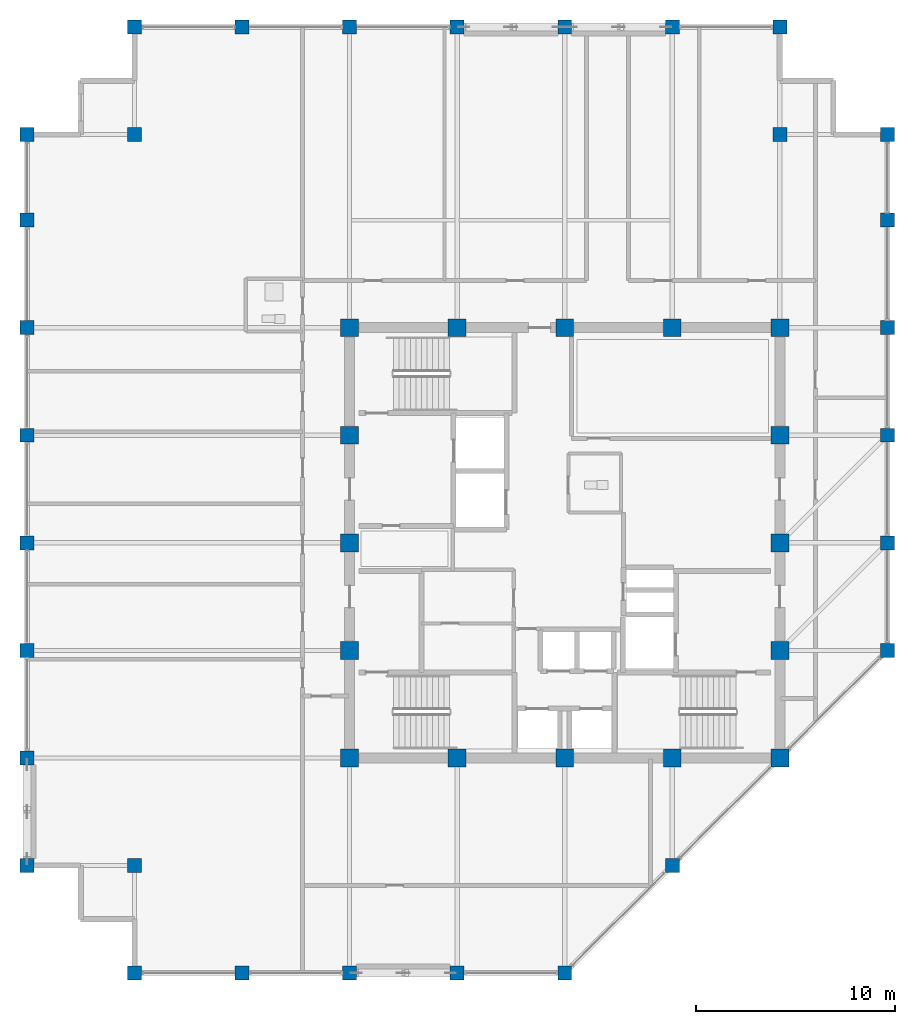
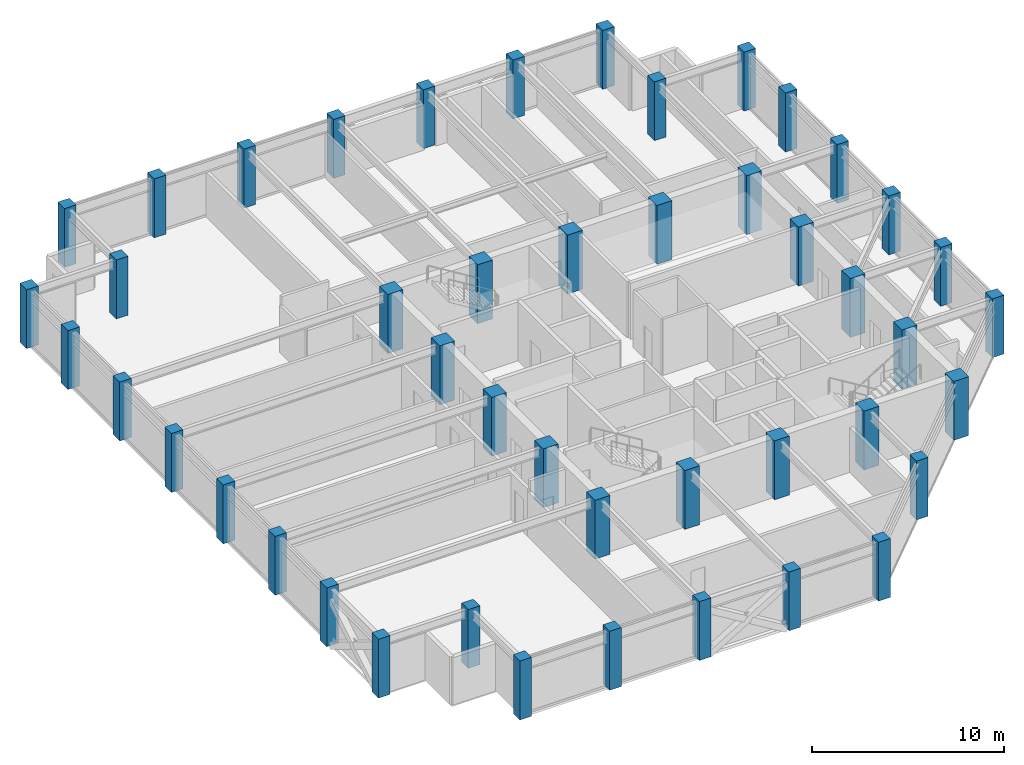
# One storey, part 1 of 30: 46 columns.
"""IFC4 building model written with IfcOpenShell, lengths in metres."""

import ifcopenshell
import ifcopenshell.guid

model = None  # the IFC model being written
_history = None  # IfcOwnerHistory: only IFC2X3 demands one
_inside = {}  # id of a spatial element -> (the spatial element, [elements in it])
_under = {}  # id of a project, library or spatial element -> (it, [spatial elements below it])
_declared = {}  # id of a project -> (the project, [libraries it declares])
_typed = {}  # id of a type object -> (the type object, [elements of that type])
_made_of = {}  # id of a material, layer set ... -> (it, [elements and type objects made of it])


def new_model(schema):
    """Start an empty IFC model of exactly this schema.

    Asked for "IFC4X3", IfcOpenShell would pick the latest addendum, in which some entities
    have other attributes; the version numbers below select the first issue.
    IFC2X3 requires an IfcOwnerHistory on every rooted entity: one is made here for all.
    """
    global model, _history
    if schema == "IFC4X3":
        model = ifcopenshell.file(schema_version=(4, 3, 0, 0))
    else:
        model = ifcopenshell.file(schema=schema)
    _inside.clear()
    _under.clear()
    _declared.clear()
    _typed.clear()
    _made_of.clear()
    _history = None
    if model.schema == "IFC2X3":
        org = make("IfcOrganization", Name="unknown")
        user = make(
            "IfcPersonAndOrganization",
            ThePerson=make("IfcPerson", FamilyName="unknown"),
            TheOrganization=org,
        )
        app = make(
            "IfcApplication",
            ApplicationDeveloper=org,
            Version="unknown",
            ApplicationFullName="unknown",
            ApplicationIdentifier="unknown",
        )
        _history = make(
            "IfcOwnerHistory",
            OwningUser=user,
            OwningApplication=app,
            ChangeAction="ADDED",
            CreationDate=0,
        )
    return model


def make(cls, **values):
    """One entity of the class cls with the attributes given. An attribute that is None is left unset."""
    return model.create_entity(
        cls, **{name: value for name, value in values.items() if value is not None}
    )


def rooted(cls, **values):
    """An entity with a GlobalId (a new one), such as an element, a storey or a relation."""
    return make(cls, GlobalId=ifcopenshell.guid.new(), OwnerHistory=_history, **values)


def si_unit(unit_type, name, prefix=None):
    """IfcSIUnit, for example si_unit("LENGTHUNIT", "METRE", prefix="MILLI")."""
    return make("IfcSIUnit", UnitType=unit_type, Prefix=prefix, Name=name)


def assignment(units):
    """IfcUnitAssignment: the units of a project."""
    return None if units is None else make("IfcUnitAssignment", Units=units)


def point(xyz):
    """IfcCartesianPoint."""
    return None if xyz is None else make("IfcCartesianPoint", Coordinates=xyz)


def direction(xyz):
    """IfcDirection."""
    return None if xyz is None else make("IfcDirection", DirectionRatios=xyz)


def frame(location, z_axis=None, x_axis=None):
    """IfcAxis2Placement3D, a coordinate frame: its origin and axes. An axis left out is left unset."""
    return make(
        "IfcAxis2Placement3D",
        Location=point(location),
        Axis=direction(z_axis),
        RefDirection=direction(x_axis),
    )


def frame_2d(location, x_axis=None):
    """IfcAxis2Placement2D, a coordinate frame in the plane: its origin and x axis."""
    return make(
        "IfcAxis2Placement2D", Location=point(location), RefDirection=direction(x_axis)
    )


def origin():
    """The frame at (0, 0, 0) with its axes left unset."""
    return frame((0.0, 0.0, 0.0))


def origin_2d():
    """The frame at (0, 0) in the plane with its x axis left unset."""
    return frame_2d((0.0, 0.0))


def place(relative_to, where):
    """IfcLocalPlacement: puts the frame where relative to a parent placement (None: the world)."""
    return make(
        "IfcLocalPlacement", PlacementRelTo=relative_to, RelativePlacement=where
    )


def context(
    kind, dimensions, precision=None, world=None, true_north=None, identifier=None
):
    """IfcGeometricRepresentationContext, for example the 3D "Model" context."""
    return make(
        "IfcGeometricRepresentationContext",
        ContextIdentifier=identifier,
        ContextType=kind,
        CoordinateSpaceDimension=dimensions,
        Precision=precision,
        WorldCoordinateSystem=world,
        TrueNorth=true_north,
    )


def subcontext(parent, identifier, kind, view, scale=None):
    """IfcGeometricRepresentationSubContext, for example "Body" below "Model"."""
    return make(
        "IfcGeometricRepresentationSubContext",
        ContextIdentifier=identifier,
        ContextType=kind,
        ParentContext=parent,
        TargetScale=scale,
        TargetView=view,
    )


def project(units=None, contexts=None):
    """IfcProject with its units and contexts."""
    return rooted(
        "IfcProject",
        Name="project",
        RepresentationContexts=contexts,
        UnitsInContext=assignment(units),
    )


def spatial(cls, under=None, at=None, **own):
    """A site, building, storey or space (cls), placed at a placement, below another one or the project."""
    s = rooted(cls, ObjectPlacement=at, **own)
    if under is not None:
        _under.setdefault(under.id(), (under, []))[1].append(s)
    return s


def profile(cls, at=None, kind="AREA", **sizes):
    """A parametric profile (cls). Its sizes go by their IFC names, for example OverallWidth=200.0."""
    return make(cls, ProfileType=kind, Position=at, **sizes)


def rectangle(**sizes):
    """IfcRectangleProfileDef."""
    return profile("IfcRectangleProfileDef", **sizes)


def extrude(swept, where, along, depth):
    """IfcExtrudedAreaSolid: the profile swept, set in the frame where, extruded along a direction by depth."""
    return make(
        "IfcExtrudedAreaSolid",
        SweptArea=swept,
        Position=where,
        ExtrudedDirection=direction(along),
        Depth=depth,
    )


def shape(context_of_items, identifier, shape_type, items):
    """IfcShapeRepresentation: the items that make up one representation, for example the "Body"."""
    return make(
        "IfcShapeRepresentation",
        ContextOfItems=context_of_items,
        RepresentationIdentifier=identifier,
        RepresentationType=shape_type,
        Items=items,
    )


def material(Name=None, Category=None):
    """IfcMaterial."""
    return make("IfcMaterial", Name=Name, Category=Category)


def material_profile(
    of_material, cross_section, Name=None, Category=None, Priority=None
):
    """IfcMaterialProfile: a cross section and its material."""
    return make(
        "IfcMaterialProfile",
        Name=Name,
        Material=of_material,
        Profile=cross_section,
        Priority=Priority,
        Category=Category,
    )


def profile_set(profiles, Name=None, composite=None):
    """IfcMaterialProfileSet."""
    return make(
        "IfcMaterialProfileSet",
        Name=Name,
        MaterialProfiles=profiles,
        CompositeProfile=composite,
    )


def made_of(thing, what):
    """Note that an element or type object is made of a material, layer set ...; save() writes the relation."""
    if what is not None:
        _made_of.setdefault(what.id(), (what, []))[1].append(thing)
    return thing


def type_object(cls, material=None, **own):
    """A type object (cls), such as IfcWallType, which elements share."""
    return made_of(rooted(cls, **own), material)


def element(
    cls,
    number,
    at=None,
    inside=None,
    cuts=None,
    type_object=None,
    material=None,
    context=None,
    identifier="Body",
    shape_type=None,
    held_by="IfcProductDefinitionShape",
    body=None,
    shapes=None,
    **own,
):
    """One element of the class cls, such as IfcWall. Its Tag is "e" and its number.

    at: its placement. inside: the storey or other place that contains it. cuts: it is an
    opening in that element (IfcRelVoidsElement). A single representation is given by context,
    identifier, shape_type and body (its items); several are given by shapes. held_by: the class
    of the entity that holds the representations. save() writes the other relations.
    """
    e = rooted(cls, Tag="e%d" % number, ObjectPlacement=at, **own)
    if body is not None:
        shapes = [shape(context, identifier, shape_type, body)]
    if shapes is not None:
        e.Representation = make(held_by, Representations=shapes)
    if inside is not None:
        _inside.setdefault(inside.id(), (inside, []))[1].append(e)
    if cuts is not None:
        rooted(
            "IfcRelVoidsElement", RelatingBuildingElement=cuts, RelatedOpeningElement=e
        )
    if type_object is not None:
        _typed.setdefault(type_object.id(), (type_object, []))[1].append(e)
    return made_of(e, material)


def aggregate(whole, parts):
    """IfcRelAggregates: a whole, such as a stair, and the parts it consists of."""
    return rooted("IfcRelAggregates", RelatingObject=whole, RelatedObjects=parts)


def save(model, path):
    """Write the relations noted so far, then the file.

    IfcRelAggregates (storeys below a building ...), IfcRelContainedInSpatialStructure (elements
    in a storey), IfcRelDefinesByType, IfcRelAssociatesMaterial and IfcRelDeclares: one each for
    every whole, place, type object, material and project.
    """
    for whole, parts in _under.values():
        aggregate(whole, parts)
    for where, things in _inside.values():
        rooted(
            "IfcRelContainedInSpatialStructure",
            RelatedElements=things,
            RelatingStructure=where,
        )
    for kind, things in _typed.values():
        rooted("IfcRelDefinesByType", RelatedObjects=things, RelatingType=kind)
    for what, things in _made_of.values():
        rooted("IfcRelAssociatesMaterial", RelatedObjects=things, RelatingMaterial=what)
    for by, libraries in _declared.values():
        rooted("IfcRelDeclares", RelatingContext=by, RelatedDefinitions=libraries)
    model.write(path)


model = new_model("IFC4")

# Units and contexts
model_context = context("Model", 3, precision=1e-05, world=origin(), true_north=direction((0.0, 1.0)))
body_context = subcontext(model_context, "Body", "Model", "MODEL_VIEW")
ifc_project = project(units=[si_unit("LENGTHUNIT", "METRE"), si_unit("AREAUNIT", "SQUARE_METRE"), si_unit("VOLUMEUNIT", "CUBIC_METRE"), si_unit("PLANEANGLEUNIT", "RADIAN"), si_unit("MASSUNIT", "GRAM", prefix="KILO")], contexts=[model_context])

# Site, building, storey
site_placement = place(None, origin())
site = spatial("IfcSite", under=ifc_project, at=site_placement, CompositionType="ELEMENT")
building_placement = place(site_placement, origin())
building = spatial("IfcBuilding", under=site, at=building_placement, Name="Surkhivell Harbour Commons", CompositionType="ELEMENT")
storey_placement = place(building_placement, frame((0.0, 0.0, 300.0)))
storey = spatial("IfcBuildingStorey", under=building, at=storey_placement, Name="L78", CompositionType="ELEMENT", Elevation=300.0)

# Columns
ifc_material_1 = material(Name="Concrete C60/75", Category="concrete")
ifc_material_profile_1 = material_profile(ifc_material_1, rectangle(XDim=0.89990234375, YDim=0.89990234375, at=origin_2d()), Name="RC-COL-900x900")
ifc_profile_set_1 = profile_set([ifc_material_profile_1], Name="Concrete C60/75")
column_type_1 = type_object("IfcColumnType", Name="COL-TUBE-Z3A", PredefinedType="COLUMN", material=ifc_profile_set_1)
for number, where, z_axis, x_axis, name in (
    (1, (-10.800048828125, -10.800048828125, 0.0), (0.0, 0.0, 1.0), (1.0, 0.0, 0.0), "L78 Column CT-3A (-10.8,-10.8)"),
    (2, (-10.800048828125, -5.39990234375, 0.0), (0.0, 0.0, 1.0), (1.0, 0.0, 0.0), "L78 Column CT-3A (-10.8,-5.4)"),
    (3, (-10.800048828125, 0.0, 0.0), (0.0, 0.0, 1.0), (1.0, 0.0, 0.0), "L78 Column CT-3A (-10.8,0.0)"),
    (4, (-10.800048828125, 5.39990234375, 0.0), (0.0, 0.0, 1.0), (1.0, 0.0, 0.0), "L78 Column CT-3A (-10.8,5.4)"),
    (5, (-10.800048828125, 10.800048828125, 0.0), (0.0, 0.0, 1.0), (1.0, 0.0, 0.0), "L78 Column CT-3A (-10.8,10.8)"),
    (6, (-5.39990234375, -10.800048828125, 0.0), (0.0, 0.0, 1.0), (1.0, 0.0, 0.0), "L78 Column CT-3A (-5.4,-10.8)"),
    (7, (-5.39990234375, 10.800048828125, 0.0), (0.0, 0.0, 1.0), (1.0, 0.0, 0.0), "L78 Column CT-3A (-5.4,10.8)"),
    (8, (0.0, -10.800048828125, 0.0), (0.0, 0.0, 1.0), (1.0, 0.0, 0.0), "L78 Column CT-3A (0.0,-10.8)"),
    (9, (0.0, 10.800048828125, 0.0), (0.0, 0.0, 1.0), (1.0, 0.0, 0.0), "L78 Column CT-3A (0.0,10.8)"),
    (10, (5.39990234375, -10.800048828125, 0.0), (0.0, 0.0, 1.0), (1.0, 0.0, 0.0), "L78 Column CT-3A (5.4,-10.8)"),
    (11, (5.39990234375, 10.800048828125, 0.0), (0.0, 0.0, 1.0), (1.0, 0.0, 0.0), "L78 Column CT-3A (5.4,10.8)"),
    (12, (10.800048828125, -10.800048828125, 0.0), (0.0, 0.0, 1.0), (1.0, 0.0, 0.0), "L78 Column CT-3A (10.8,-10.8)"),
    (13, (10.800048828125, -5.39990234375, 0.0), (0.0, 0.0, 1.0), (1.0, 0.0, 0.0), "L78 Column CT-3A (10.8,-5.4)"),
    (14, (10.800048828125, 0.0, 0.0), (0.0, 0.0, 1.0), (1.0, 0.0, 0.0), "L78 Column CT-3A (10.8,0.0)"),
    (15, (10.800048828125, 5.39990234375, 0.0), (0.0, 0.0, 1.0), (1.0, 0.0, 0.0), "L78 Column CT-3A (10.8,5.4)"),
    (16, (10.800048828125, 10.800048828125, 0.0), (0.0, 0.0, 1.0), (1.0, 0.0, 0.0), "L78 Column CT-3A (10.8,10.8)"),
):
    element("IfcColumn", number, at=place(storey_placement, frame(where, z_axis=z_axis, x_axis=x_axis)), inside=storey, type_object=column_type_1, Name=name, PredefinedType="COLUMN", context=body_context, shape_type="SweptSolid", body=[
        extrude(rectangle(XDim=0.89990234375, YDim=0.89990234375, at=origin_2d()), origin(), (0.0, 0.0, 1.0), 3.75),
    ])
ifc_material_2 = material(Name="Concrete C50/60", Category="concrete")
ifc_material_profile_2 = material_profile(ifc_material_2, rectangle(XDim=0.699951171875, YDim=0.699951171875, at=origin_2d()), Name="RC-COL-700x700")
ifc_profile_set_2 = profile_set([ifc_material_profile_2], Name="Concrete C50/60")
column_type_2 = type_object("IfcColumnType", Name="COL-TUBE-Z4", PredefinedType="COLUMN", material=ifc_profile_set_2)
for number, where, z_axis, x_axis, name in (
    (17, (-27.0, -16.199951171875, 0.0), (0.0, 0.0, 1.0), (1.0, 0.0, 0.0), "L78 Column CT-4 (-27.0,-16.2)"),
    (18, (-27.0, -10.800048828125, 0.0), (0.0, 0.0, 1.0), (1.0, 0.0, 0.0), "L78 Column CT-4 (-27.0,-10.8)"),
    (19, (-27.0, -5.39990234375, 0.0), (0.0, 0.0, 1.0), (1.0, 0.0, 0.0), "L78 Column CT-4 (-27.0,-5.4)"),
    (20, (-27.0, 0.0, 0.0), (0.0, 0.0, 1.0), (1.0, 0.0, 0.0), "L78 Column CT-4 (-27.0,0.0)"),
    (21, (-27.0, 5.39990234375, 0.0), (0.0, 0.0, 1.0), (1.0, 0.0, 0.0), "L78 Column CT-4 (-27.0,5.4)"),
    (22, (-27.0, 10.800048828125, 0.0), (0.0, 0.0, 1.0), (1.0, 0.0, 0.0), "L78 Column CT-4 (-27.0,10.8)"),
    (23, (-27.0, 16.199951171875, 0.0), (0.0, 0.0, 1.0), (1.0, 0.0, 0.0), "L78 Column CT-4 (-27.0,16.2)"),
    (24, (-27.0, 20.5, 0.0), (0.0, 0.0, 1.0), (1.0, 0.0, 0.0), "L78 Column CT-4 (-27.0,20.5)"),
    (25, (-21.60009765625, -21.60009765625, 0.0), (0.0, 0.0, 1.0), (1.0, 0.0, 0.0), "L78 Column CT-4 (-21.6,-21.6)"),
    (26, (-21.60009765625, -16.199951171875, 0.0), (0.0, 0.0, 1.0), (1.0, 0.0, 0.0), "L78 Column CT-4 (-21.6,-16.2)"),
    (27, (-21.60009765625, 20.5, 0.0), (0.0, 0.0, 1.0), (1.0, 0.0, 0.0), "L78 Column CT-4 (-21.6,20.5)"),
    (28, (-21.60009765625, 25.89990234375, 0.0), (0.0, 0.0, 1.0), (1.0, 0.0, 0.0), "L78 Column CT-4 (-21.6,25.9)"),
    (29, (-16.199951171875, -21.60009765625, 0.0), (0.0, 0.0, 1.0), (1.0, 0.0, 0.0), "L78 Column CT-4 (-16.2,-21.6)"),
    (30, (-16.199951171875, 25.89990234375, 0.0), (0.0, 0.0, 1.0), (1.0, 0.0, 0.0), "L78 Column CT-4 (-16.2,25.9)"),
    (31, (-10.800048828125, -21.60009765625, 0.0), (0.0, 0.0, 1.0), (1.0, 0.0, 0.0), "L78 Column CT-4 (-10.8,-21.6)"),
    (32, (-10.800048828125, 25.89990234375, 0.0), (0.0, 0.0, 1.0), (1.0, 0.0, 0.0), "L78 Column CT-4 (-10.8,25.9)"),
    (33, (-5.39990234375, -21.60009765625, 0.0), (0.0, 0.0, 1.0), (1.0, 0.0, 0.0), "L78 Column CT-4 (-5.4,-21.6)"),
    (34, (-5.39990234375, 25.89990234375, 0.0), (0.0, 0.0, 1.0), (1.0, 0.0, 0.0), "L78 Column CT-4 (-5.4,25.9)"),
    (35, (0.0, -21.60009765625, 0.0), (0.0, 0.0, 1.0), (1.0, 0.0, 0.0), "L78 Column CT-4 (-0.0,-21.6)"),
    (36, (0.0, 25.89990234375, 0.0), (0.0, 0.0, 1.0), (1.0, 0.0, 0.0), "L78 Column CT-4 (-0.0,25.9)"),
    (37, (5.39990234375, -16.199951171875, 0.0), (0.0, 0.0, 1.0), (1.0, 0.0, 0.0), "L78 Column CT-4 (5.4,-16.2)"),
    (38, (5.39990234375, 25.89990234375, 0.0), (0.0, 0.0, 1.0), (1.0, 0.0, 0.0), "L78 Column CT-4 (5.4,25.9)"),
    (39, (10.800048828125, 20.5, 0.0), (0.0, 0.0, 1.0), (1.0, 0.0, 0.0), "L78 Column CT-4 (10.8,20.5)"),
    (40, (10.800048828125, 25.89990234375, 0.0), (0.0, 0.0, 1.0), (1.0, 0.0, 0.0), "L78 Column CT-4 (10.8,25.9)"),
    (41, (16.199951171875, -5.39990234375, 0.0), (0.0, 0.0, 1.0), (1.0, 0.0, 0.0), "L78 Column CT-4 (16.2,-5.4)"),
    (42, (16.199951171875, 0.0, 0.0), (0.0, 0.0, 1.0), (1.0, 0.0, 0.0), "L78 Column CT-4 (16.2,0.0)"),
    (43, (16.199951171875, 5.39990234375, 0.0), (0.0, 0.0, 1.0), (1.0, 0.0, 0.0), "L78 Column CT-4 (16.2,5.4)"),
    (44, (16.199951171875, 10.800048828125, 0.0), (0.0, 0.0, 1.0), (1.0, 0.0, 0.0), "L78 Column CT-4 (16.2,10.8)"),
    (45, (16.199951171875, 16.199951171875, 0.0), (0.0, 0.0, 1.0), (1.0, 0.0, 0.0), "L78 Column CT-4 (16.2,16.2)"),
    (46, (16.199951171875, 20.5, 0.0), (0.0, 0.0, 1.0), (1.0, 0.0, 0.0), "L78 Column CT-4 (16.2,20.5)"),
):
    element("IfcColumn", number, at=place(storey_placement, frame(where, z_axis=z_axis, x_axis=x_axis)), inside=storey, type_object=column_type_2, Name=name, PredefinedType="COLUMN", context=body_context, shape_type="SweptSolid", body=[
        extrude(rectangle(XDim=0.699951171875, YDim=0.699951171875, at=origin_2d()), origin(), (0.0, 0.0, 1.0), 3.75),
    ])

save(model, "model.ifc")
